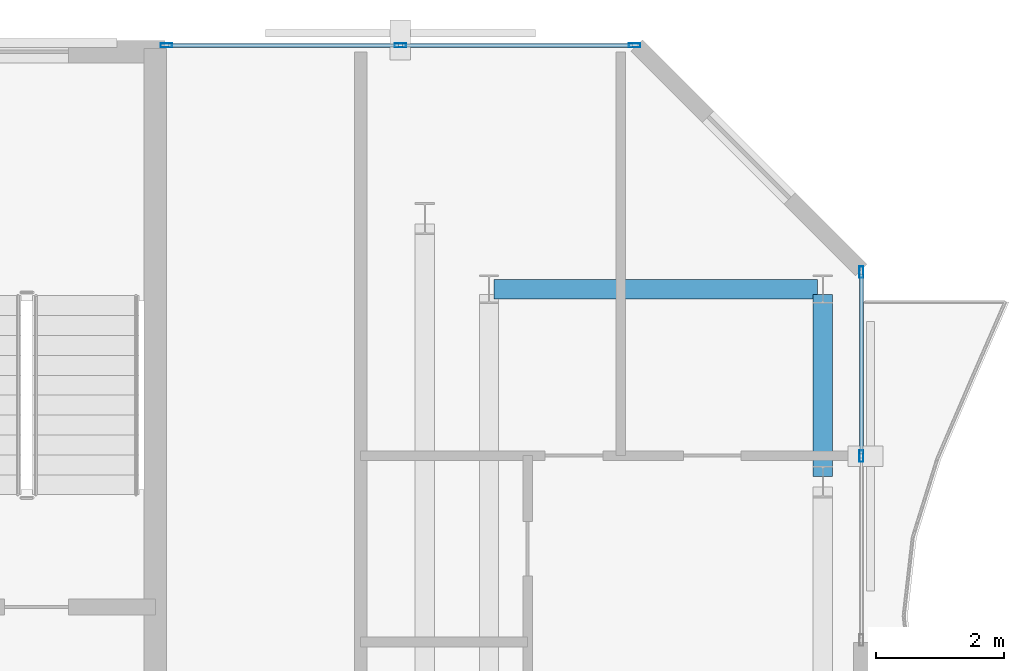
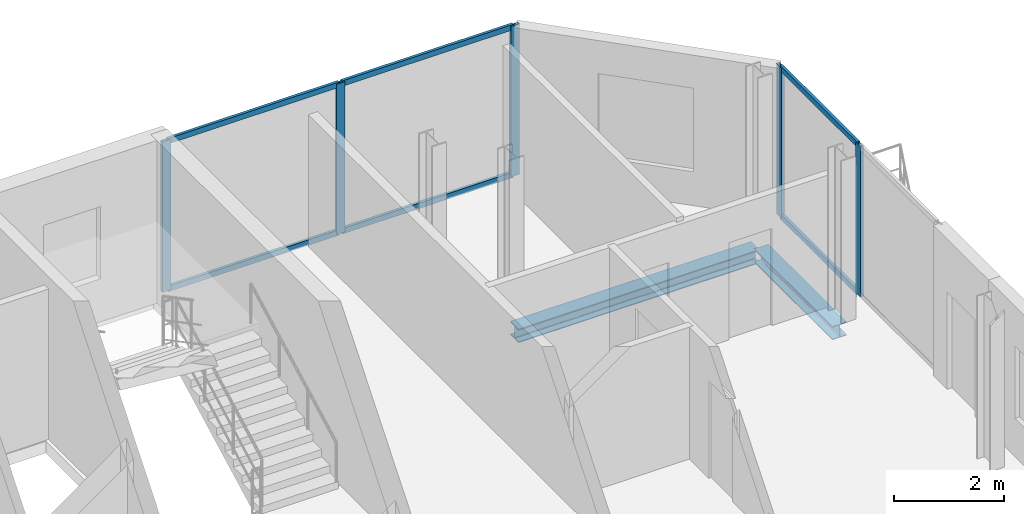
# One storey, part 16 of 23: 11 members, 2 beams, 2 elements without a shape of their own.
"""IFC4 building model written with IfcOpenShell, lengths in metres."""

import ifcopenshell
import ifcopenshell.guid

model = None  # the IFC model being written
_history = None  # IfcOwnerHistory: only IFC2X3 demands one
_inside = {}  # id of a spatial element -> (the spatial element, [elements in it])
_under = {}  # id of a project, library or spatial element -> (it, [spatial elements below it])
_declared = {}  # id of a project -> (the project, [libraries it declares])
_typed = {}  # id of a type object -> (the type object, [elements of that type])
_made_of = {}  # id of a material, layer set ... -> (it, [elements and type objects made of it])


def new_model(schema):
    """Start an empty IFC model of exactly this schema.

    Asked for "IFC4X3", IfcOpenShell would pick the latest addendum, in which some entities
    have other attributes; the version numbers below select the first issue.
    IFC2X3 requires an IfcOwnerHistory on every rooted entity: one is made here for all.
    """
    global model, _history
    if schema == "IFC4X3":
        model = ifcopenshell.file(schema_version=(4, 3, 0, 0))
    else:
        model = ifcopenshell.file(schema=schema)
    _inside.clear()
    _under.clear()
    _declared.clear()
    _typed.clear()
    _made_of.clear()
    _history = None
    if model.schema == "IFC2X3":
        org = make("IfcOrganization", Name="unknown")
        user = make(
            "IfcPersonAndOrganization",
            ThePerson=make("IfcPerson", FamilyName="unknown"),
            TheOrganization=org,
        )
        app = make(
            "IfcApplication",
            ApplicationDeveloper=org,
            Version="unknown",
            ApplicationFullName="unknown",
            ApplicationIdentifier="unknown",
        )
        _history = make(
            "IfcOwnerHistory",
            OwningUser=user,
            OwningApplication=app,
            ChangeAction="ADDED",
            CreationDate=0,
        )
    return model


def make(cls, **values):
    """One entity of the class cls with the attributes given. An attribute that is None is left unset."""
    return model.create_entity(
        cls, **{name: value for name, value in values.items() if value is not None}
    )


def rooted(cls, **values):
    """An entity with a GlobalId (a new one), such as an element, a storey or a relation."""
    return make(cls, GlobalId=ifcopenshell.guid.new(), OwnerHistory=_history, **values)


def si_unit(unit_type, name, prefix=None):
    """IfcSIUnit, for example si_unit("LENGTHUNIT", "METRE", prefix="MILLI")."""
    return make("IfcSIUnit", UnitType=unit_type, Prefix=prefix, Name=name)


def assignment(units):
    """IfcUnitAssignment: the units of a project."""
    return None if units is None else make("IfcUnitAssignment", Units=units)


def point(xyz):
    """IfcCartesianPoint."""
    return None if xyz is None else make("IfcCartesianPoint", Coordinates=xyz)


def direction(xyz):
    """IfcDirection."""
    return None if xyz is None else make("IfcDirection", DirectionRatios=xyz)


def frame(location, z_axis=None, x_axis=None):
    """IfcAxis2Placement3D, a coordinate frame: its origin and axes. An axis left out is left unset."""
    return make(
        "IfcAxis2Placement3D",
        Location=point(location),
        Axis=direction(z_axis),
        RefDirection=direction(x_axis),
    )


def frame_2d(location, x_axis=None):
    """IfcAxis2Placement2D, a coordinate frame in the plane: its origin and x axis."""
    return make(
        "IfcAxis2Placement2D", Location=point(location), RefDirection=direction(x_axis)
    )


def origin():
    """The frame at (0, 0, 0) with its axes left unset."""
    return frame((0.0, 0.0, 0.0))


def origin_2d():
    """The frame at (0, 0) in the plane with its x axis left unset."""
    return frame_2d((0.0, 0.0))


def place(relative_to, where):
    """IfcLocalPlacement: puts the frame where relative to a parent placement (None: the world)."""
    return make(
        "IfcLocalPlacement", PlacementRelTo=relative_to, RelativePlacement=where
    )


def context(
    kind, dimensions, precision=None, world=None, true_north=None, identifier=None
):
    """IfcGeometricRepresentationContext, for example the 3D "Model" context."""
    return make(
        "IfcGeometricRepresentationContext",
        ContextIdentifier=identifier,
        ContextType=kind,
        CoordinateSpaceDimension=dimensions,
        Precision=precision,
        WorldCoordinateSystem=world,
        TrueNorth=true_north,
    )


def subcontext(parent, identifier, kind, view, scale=None):
    """IfcGeometricRepresentationSubContext, for example "Body" below "Model"."""
    return make(
        "IfcGeometricRepresentationSubContext",
        ContextIdentifier=identifier,
        ContextType=kind,
        ParentContext=parent,
        TargetScale=scale,
        TargetView=view,
    )


def project(units=None, contexts=None):
    """IfcProject with its units and contexts."""
    return rooted(
        "IfcProject",
        Name="project",
        RepresentationContexts=contexts,
        UnitsInContext=assignment(units),
    )


def spatial(cls, under=None, at=None, **own):
    """A site, building, storey or space (cls), placed at a placement, below another one or the project."""
    s = rooted(cls, ObjectPlacement=at, **own)
    if under is not None:
        _under.setdefault(under.id(), (under, []))[1].append(s)
    return s


def profile(cls, at=None, kind="AREA", **sizes):
    """A parametric profile (cls). Its sizes go by their IFC names, for example OverallWidth=200.0."""
    return make(cls, ProfileType=kind, Position=at, **sizes)


def hollow_rectangle(**sizes):
    """IfcRectangleHollowProfileDef."""
    return profile("IfcRectangleHollowProfileDef", **sizes)


def i_section(**sizes):
    """IfcIShapeProfileDef."""
    return profile("IfcIShapeProfileDef", **sizes)


def extrude(swept, where, along, depth):
    """IfcExtrudedAreaSolid: the profile swept, set in the frame where, extruded along a direction by depth."""
    return make(
        "IfcExtrudedAreaSolid",
        SweptArea=swept,
        Position=where,
        ExtrudedDirection=direction(along),
        Depth=depth,
    )


def shape(context_of_items, identifier, shape_type, items):
    """IfcShapeRepresentation: the items that make up one representation, for example the "Body"."""
    return make(
        "IfcShapeRepresentation",
        ContextOfItems=context_of_items,
        RepresentationIdentifier=identifier,
        RepresentationType=shape_type,
        Items=items,
    )


def material(Name=None, Category=None):
    """IfcMaterial."""
    return make("IfcMaterial", Name=Name, Category=Category)


def layer(
    of_material, thickness, ventilated=None, Name=None, Category=None, Priority=None
):
    """IfcMaterialLayer: one layer of a wall or slab, of a material (None: an air gap)."""
    return make(
        "IfcMaterialLayer",
        Material=of_material,
        LayerThickness=thickness,
        IsVentilated=ventilated,
        Name=Name,
        Category=Category,
        Priority=Priority,
    )


def layer_set(layers, Name=None):
    """IfcMaterialLayerSet."""
    return make("IfcMaterialLayerSet", MaterialLayers=layers, LayerSetName=Name)


def material_profile(
    of_material, cross_section, Name=None, Category=None, Priority=None
):
    """IfcMaterialProfile: a cross section and its material."""
    return make(
        "IfcMaterialProfile",
        Name=Name,
        Material=of_material,
        Profile=cross_section,
        Priority=Priority,
        Category=Category,
    )


def profile_set(profiles, Name=None, composite=None):
    """IfcMaterialProfileSet."""
    return make(
        "IfcMaterialProfileSet",
        Name=Name,
        MaterialProfiles=profiles,
        CompositeProfile=composite,
    )


def made_of(thing, what):
    """Note that an element or type object is made of a material, layer set ...; save() writes the relation."""
    if what is not None:
        _made_of.setdefault(what.id(), (what, []))[1].append(thing)
    return thing


def type_object(cls, material=None, **own):
    """A type object (cls), such as IfcWallType, which elements share."""
    return made_of(rooted(cls, **own), material)


def element(
    cls,
    number,
    at=None,
    inside=None,
    cuts=None,
    type_object=None,
    material=None,
    context=None,
    identifier="Body",
    shape_type=None,
    held_by="IfcProductDefinitionShape",
    body=None,
    shapes=None,
    **own,
):
    """One element of the class cls, such as IfcWall. Its Tag is "e" and its number.

    at: its placement. inside: the storey or other place that contains it. cuts: it is an
    opening in that element (IfcRelVoidsElement). A single representation is given by context,
    identifier, shape_type and body (its items); several are given by shapes. held_by: the class
    of the entity that holds the representations. save() writes the other relations.
    """
    e = rooted(cls, Tag="e%d" % number, ObjectPlacement=at, **own)
    if body is not None:
        shapes = [shape(context, identifier, shape_type, body)]
    if shapes is not None:
        e.Representation = make(held_by, Representations=shapes)
    if inside is not None:
        _inside.setdefault(inside.id(), (inside, []))[1].append(e)
    if cuts is not None:
        rooted(
            "IfcRelVoidsElement", RelatingBuildingElement=cuts, RelatedOpeningElement=e
        )
    if type_object is not None:
        _typed.setdefault(type_object.id(), (type_object, []))[1].append(e)
    return made_of(e, material)


def aggregate(whole, parts):
    """IfcRelAggregates: a whole, such as a stair, and the parts it consists of."""
    return rooted("IfcRelAggregates", RelatingObject=whole, RelatedObjects=parts)


def save(model, path):
    """Write the relations noted so far, then the file.

    IfcRelAggregates (storeys below a building ...), IfcRelContainedInSpatialStructure (elements
    in a storey), IfcRelDefinesByType, IfcRelAssociatesMaterial and IfcRelDeclares: one each for
    every whole, place, type object, material and project.
    """
    for whole, parts in _under.values():
        aggregate(whole, parts)
    for where, things in _inside.values():
        rooted(
            "IfcRelContainedInSpatialStructure",
            RelatedElements=things,
            RelatingStructure=where,
        )
    for kind, things in _typed.values():
        rooted("IfcRelDefinesByType", RelatedObjects=things, RelatingType=kind)
    for what, things in _made_of.values():
        rooted("IfcRelAssociatesMaterial", RelatedObjects=things, RelatingMaterial=what)
    for by, libraries in _declared.values():
        rooted("IfcRelDeclares", RelatingContext=by, RelatedDefinitions=libraries)
    model.write(path)


model = new_model("IFC4")

# Units and contexts
model_context = context("Model", 3, precision=1e-05, world=origin(), true_north=direction((0.0, 1.0)))
body_context = subcontext(model_context, "Body", "Model", "MODEL_VIEW")
ifc_project = project(units=[si_unit("LENGTHUNIT", "METRE"), si_unit("AREAUNIT", "SQUARE_METRE"), si_unit("VOLUMEUNIT", "CUBIC_METRE"), si_unit("PLANEANGLEUNIT", "RADIAN"), si_unit("MASSUNIT", "GRAM", prefix="KILO")], contexts=[model_context])

# Site, building, storey
site_placement = place(None, origin())
site = spatial("IfcSite", under=ifc_project, at=site_placement, CompositionType="ELEMENT")
building_placement = place(site_placement, origin())
building = spatial("IfcBuilding", under=site, at=building_placement, Name="Catumbela Crestline Tower", CompositionType="ELEMENT")
storey_placement = place(building_placement, frame((0.0, 0.0, 197.4)))
storey = spatial("IfcBuildingStorey", under=building, at=storey_placement, Name="L51", CompositionType="ELEMENT", Elevation=197.4)

# Curtain wall, members
ifc_material_1 = material(Name="Aluminium alloy AW-6060-T66", Category="aluminium")
ifc_layer = layer(ifc_material_1, 0.18, Name="Aluminium alloy AW-6060-T66")
ifc_layer_set = layer_set([ifc_layer], Name="Aluminium alloy AW-6060-T66")
curtain_wall_type = type_object("IfcCurtainWallType", Name="CWU-Z3", PredefinedType="USERDEFINED", material=ifc_layer_set)
curtain_wall_1_placement = place(storey_placement, origin())
curtain_wall_1 = element("IfcCurtainWall", 1, at=curtain_wall_1_placement, inside=storey, type_object=curtain_wall_type, Name="L51 Unitised Curtain Wall CW-L51-E5S2", ObjectType="UNITISED", PredefinedType="USERDEFINED")
ifc_material_profile_1 = material_profile(ifc_material_1, hollow_rectangle(XDim=0.065, YDim=0.18, WallThickness=0.004, at=origin_2d()), Name="ALU 180x65x4")
ifc_profile_set_1 = profile_set([ifc_material_profile_1], Name="Aluminium alloy AW-6060-T66")
member_type_1 = type_object("IfcMemberType", Name="MUL-180X65", PredefinedType="MULLION", material=ifc_profile_set_1)
member_1_placement = place(storey_placement, frame((51.0, 36.6, 0.0), z_axis=(0.0, 0.0, 1.0), x_axis=(-1.0, 0.0, 0.0)))
member_1 = element("IfcMember", 2, at=member_1_placement, type_object=member_type_1, Name="CWU-Z3 mullion 2", PredefinedType="MULLION", context=body_context, shape_type="SweptSolid", body=[
    extrude(hollow_rectangle(XDim=0.065, YDim=0.18, WallThickness=0.004, at=origin_2d()), origin(), (0.0, 0.0, 1.0), 3.33),
])
member_2_placement = place(storey_placement, frame((51.0, 39.4675, 0.0), z_axis=(0.0, 0.0, 1.0), x_axis=(-1.0, 0.0, 0.0)))
member_2 = element("IfcMember", 3, at=member_2_placement, type_object=member_type_1, Name="CWU-Z3 mullion 3", PredefinedType="MULLION", context=body_context, shape_type="SweptSolid", body=[
    extrude(hollow_rectangle(XDim=0.065, YDim=0.18, WallThickness=0.004, at=origin_2d()), origin(), (0.0, 0.0, 1.0), 3.33),
])

curtain_wall_2_placement = place(storey_placement, origin())
curtain_wall_2 = element("IfcCurtainWall", 4, at=curtain_wall_2_placement, inside=storey, type_object=curtain_wall_type, Name="L51 Unitised Curtain Wall CW-L51-E7S1", ObjectType="UNITISED", PredefinedType="USERDEFINED")
member_3_placement = place(storey_placement, frame((47.4675, 43.0, 0.0), z_axis=(0.0, 0.0, 1.0), x_axis=(0.0, -1.0, 0.0)))
member_3 = element("IfcMember", 5, at=member_3_placement, type_object=member_type_1, Name="CWU-Z3 mullion 1", PredefinedType="MULLION", context=body_context, shape_type="SweptSolid", body=[
    extrude(hollow_rectangle(XDim=0.065, YDim=0.18, WallThickness=0.004, at=origin_2d()), origin(), (0.0, 0.0, 1.0), 3.33),
])
member_4_placement = place(storey_placement, frame((43.82, 43.0, 0.0), z_axis=(0.0, 0.0, 1.0), x_axis=(0.0, -1.0, 0.0)))
member_4 = element("IfcMember", 6, at=member_4_placement, type_object=member_type_1, Name="CWU-Z3 mullion 2", PredefinedType="MULLION", context=body_context, shape_type="SweptSolid", body=[
    extrude(hollow_rectangle(XDim=0.065, YDim=0.18, WallThickness=0.004, at=origin_2d()), origin(), (0.0, 0.0, 1.0), 3.33),
])
member_5_placement = place(storey_placement, frame((40.1725, 43.0, 0.0), z_axis=(0.0, 0.0, 1.0), x_axis=(0.0, -1.0, 0.0)))
member_5 = element("IfcMember", 7, at=member_5_placement, type_object=member_type_1, Name="CWU-Z3 mullion 3", PredefinedType="MULLION", context=body_context, shape_type="SweptSolid", body=[
    extrude(hollow_rectangle(XDim=0.065, YDim=0.18, WallThickness=0.004, at=origin_2d()), origin(), (0.0, 0.0, 1.0), 3.33),
])

# Beams
ifc_material_2 = material(Name="Structural steel S355J2", Category="steel")
ifc_material_profile_2 = material_profile(ifc_material_2, i_section(OverallWidth=0.3, OverallDepth=0.3, WebThickness=0.011, FlangeThickness=0.019, FilletRadius=0.027, at=origin_2d()), Name="HEB 300")
ifc_profile_set_2 = profile_set([ifc_material_profile_2], Name="Structural steel S355J2")
beam_type = type_object("IfcBeamType", Name="BS-HEB300", PredefinedType="SPANDREL", material=ifc_profile_set_2)
beam_1_placement = place(storey_placement, frame((45.28, 39.2, -0.41), z_axis=(1.0, 0.0, 0.0), x_axis=(0.0, 1.0, 0.0)))
element("IfcBeam", 8, at=beam_1_placement, inside=storey, type_object=beam_type, Name="L51 Spandrel SP-L51-N13", PredefinedType="SPANDREL", context=body_context, shape_type="SweptSolid", body=[
    extrude(i_section(OverallWidth=0.3, OverallDepth=0.3, WebThickness=0.011, FlangeThickness=0.019, FilletRadius=0.027, at=origin_2d()), origin(), (0.0, 0.0, 1.0), 5.04),
])
beam_2_placement = place(storey_placement, frame((50.4, 36.28, -0.41), z_axis=(0.0, 1.0, 0.0), x_axis=(-1.0, 0.0, 0.0)))
element("IfcBeam", 9, at=beam_2_placement, inside=storey, type_object=beam_type, Name="L51 Spandrel SP-L51-SN25", PredefinedType="SPANDREL", context=body_context, shape_type="SweptSolid", body=[
    extrude(i_section(OverallWidth=0.3, OverallDepth=0.3, WebThickness=0.011, FlangeThickness=0.019, FilletRadius=0.027, at=origin_2d()), origin(), (0.0, 0.0, 1.0), 2.84),
])

# Member
ifc_material_profile_3 = material_profile(ifc_material_1, hollow_rectangle(XDim=0.06, YDim=0.12, WallThickness=0.0035, at=origin_2d()), Name="ALU 120x60x3.5")
ifc_profile_set_3 = profile_set([ifc_material_profile_3], Name="Aluminium alloy AW-6060-T66")
member_type_2 = type_object("IfcMemberType", Name="TRN-120X60", PredefinedType="USERDEFINED", material=ifc_profile_set_3)
member_6_placement = place(storey_placement, frame((51.0, 36.6325, 0.03), z_axis=(0.0, 1.0, 0.0), x_axis=(-1.0, 0.0, 0.0)))
member_6 = element("IfcMember", 10, at=member_6_placement, type_object=member_type_2, Name="CWU-Z3 transom 2.1", ObjectType="TRANSOM", PredefinedType="USERDEFINED", context=body_context, shape_type="SweptSolid", body=[
    extrude(hollow_rectangle(XDim=0.06, YDim=0.12, WallThickness=0.0035, at=origin_2d()), origin(), (0.0, 0.0, 1.0), 2.8025),
])

member_7_placement = place(storey_placement, frame((51.0, 36.6325, 3.3), z_axis=(0.0, 1.0, 0.0), x_axis=(-1.0, 0.0, 0.0)))
member_7 = element("IfcMember", 11, at=member_7_placement, type_object=member_type_2, Name="CWU-Z3 transom 2.2", ObjectType="TRANSOM", PredefinedType="USERDEFINED", context=body_context, shape_type="SweptSolid", body=[
    extrude(hollow_rectangle(XDim=0.06, YDim=0.12, WallThickness=0.0035, at=origin_2d()), origin(), (0.0, 0.0, 1.0), 2.8025),
])

aggregate(curtain_wall_1, [member_1, member_2, member_6, member_7])

member_8_placement = place(storey_placement, frame((47.435, 43.0, 0.03), z_axis=(-1.0, 0.0, 0.0), x_axis=(0.0, -1.0, 0.0)))
member_8 = element("IfcMember", 12, at=member_8_placement, type_object=member_type_2, Name="CWU-Z3 transom 1.1", ObjectType="TRANSOM", PredefinedType="USERDEFINED", context=body_context, shape_type="SweptSolid", body=[
    extrude(hollow_rectangle(XDim=0.06, YDim=0.12, WallThickness=0.0035, at=origin_2d()), origin(), (0.0, 0.0, 1.0), 3.5825),
])

member_9_placement = place(storey_placement, frame((47.435, 43.0, 3.3), z_axis=(-1.0, 0.0, 0.0), x_axis=(0.0, -1.0, 0.0)))
member_9 = element("IfcMember", 13, at=member_9_placement, type_object=member_type_2, Name="CWU-Z3 transom 1.2", ObjectType="TRANSOM", PredefinedType="USERDEFINED", context=body_context, shape_type="SweptSolid", body=[
    extrude(hollow_rectangle(XDim=0.06, YDim=0.12, WallThickness=0.0035, at=origin_2d()), origin(), (0.0, 0.0, 1.0), 3.5825),
])

member_10_placement = place(storey_placement, frame((43.7875, 43.0, 0.03), z_axis=(-1.0, 0.0, 0.0), x_axis=(0.0, -1.0, 0.0)))
member_10 = element("IfcMember", 14, at=member_10_placement, type_object=member_type_2, Name="CWU-Z3 transom 2.1", ObjectType="TRANSOM", PredefinedType="USERDEFINED", context=body_context, shape_type="SweptSolid", body=[
    extrude(hollow_rectangle(XDim=0.06, YDim=0.12, WallThickness=0.0035, at=origin_2d()), origin(), (0.0, 0.0, 1.0), 3.5825),
])

member_11_placement = place(storey_placement, frame((43.7875, 43.0, 3.3), z_axis=(-1.0, 0.0, 0.0), x_axis=(0.0, -1.0, 0.0)))
member_11 = element("IfcMember", 15, at=member_11_placement, type_object=member_type_2, Name="CWU-Z3 transom 2.2", ObjectType="TRANSOM", PredefinedType="USERDEFINED", context=body_context, shape_type="SweptSolid", body=[
    extrude(hollow_rectangle(XDim=0.06, YDim=0.12, WallThickness=0.0035, at=origin_2d()), origin(), (0.0, 0.0, 1.0), 3.5825),
])

aggregate(curtain_wall_2, [member_3, member_4, member_5, member_8, member_9, member_10, member_11])

save(model, "model.ifc")
